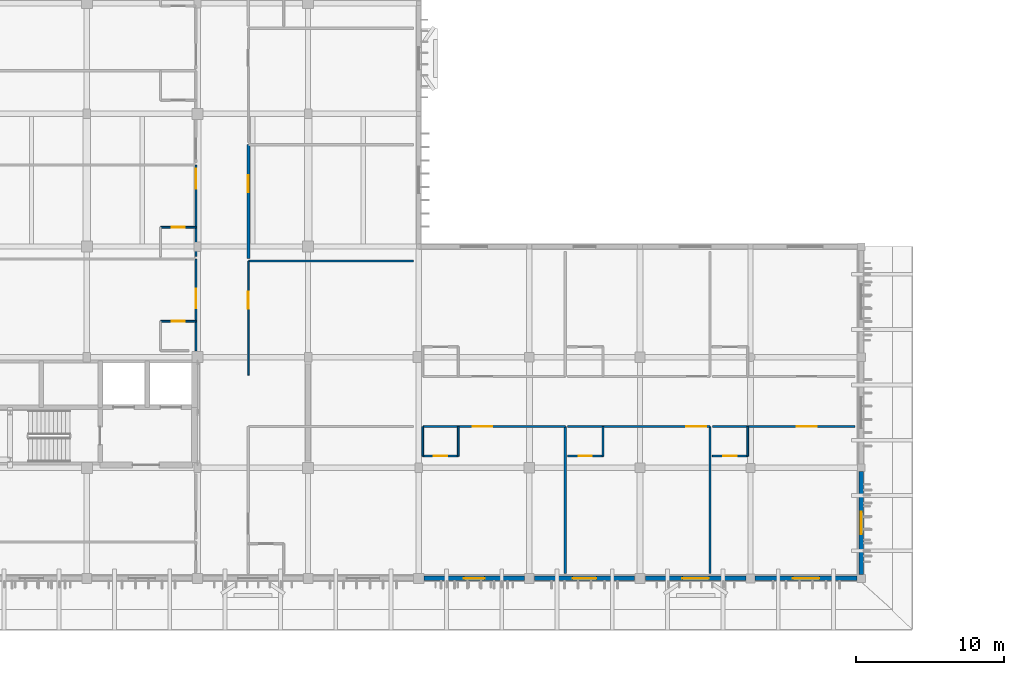
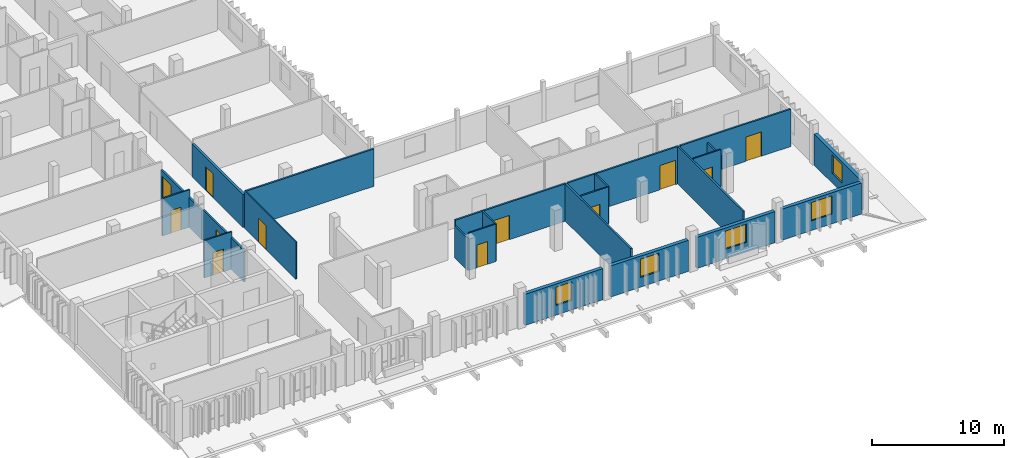
# One storey, part 15 of 43: 24 walls, 12 doors, 5 windows, 17 openings.
"""IFC4 building model written with IfcOpenShell, lengths in metres."""

from ifc_helpers import new_model, si_unit, direction, frame, frame_2d, origin, place, context, subcontext, project, spatial, rectangle, extrude, material, layer, layer_set, type_object, element, fill, save


model = new_model("IFC4")

# Units and contexts
model_context = context("Model", 3, precision=1e-05, world=origin(), true_north=direction((0.0, 1.0)))
body_context = subcontext(model_context, "Body", "Model", "MODEL_VIEW")
ifc_project = project(units=[si_unit("LENGTHUNIT", "METRE"), si_unit("AREAUNIT", "SQUARE_METRE"), si_unit("VOLUMEUNIT", "CUBIC_METRE"), si_unit("PLANEANGLEUNIT", "RADIAN"), si_unit("MASSUNIT", "GRAM", prefix="KILO")], contexts=[model_context])

# Site, building, storey
site_placement = place(None, origin())
site = spatial("IfcSite", under=ifc_project, at=site_placement, CompositionType="ELEMENT")
building_placement = place(site_placement, origin())
building = spatial("IfcBuilding", under=site, at=building_placement, Name="Dalvernix Boulevard General Hospital", CompositionType="ELEMENT")
storey_placement = place(building_placement, frame((0.0, 0.0, 14.10009765625)))
storey = spatial("IfcBuildingStorey", under=building, at=storey_placement, Name="L03", CompositionType="ELEMENT", Elevation=14.10009765625)

# Wall, opening, window
ifc_material_1 = material(Name="Pressed Catalan clay brick and ceramic spandrel wall C35/45", Category="masonry")
ifc_layer_1 = layer(ifc_material_1, 0.300048828125)
ifc_layer_set_1 = layer_set([ifc_layer_1], Name="Pressed Catalan clay brick and ceramic spandrel wall C35/45 (WAL-EW-02)")
wall_type_1 = type_object("IfcWallType", Name="WAL-EW-02", PredefinedType="STANDARD", material=ifc_layer_set_1)
wall_1_placement = place(storey_placement, frame((37.1650390625, 0.0, 0.0), z_axis=(0.0, 0.0, 1.0), x_axis=(-1.0, 0.0, 0.0)))
wall_1 = element("IfcWall", 1, at=wall_1_placement, inside=storey, type_object=wall_type_1, Name="L03 Catalan brick external wall S 4-0", PredefinedType="STANDARD", context=body_context, shape_type="SweptSolid", body=[
    extrude(rectangle(XDim=6.804931640625, YDim=0.300048828125, at=frame_2d((3.40234375, 0.0))), origin(), (0.0, 0.0, 1.0), 2.869873046875),
])
opening_1_placement = place(wall_1_placement, frame((2.702392578125, 0.0, 0.89990234375)))
opening_1 = element("IfcOpeningElement", 2, at=opening_1_placement, cuts=wall_1, Name="Opening WN-14", PredefinedType="OPENING", context=body_context, shape_type="SweptSolid", body=[
    extrude(rectangle(XDim=1.39990234375, YDim=1.68994140625, at=frame_2d((0.699951171875, 0.844970703125))), frame((0.0, 0.159912109375, 0.0), z_axis=(0.0, -1.0, 0.0), x_axis=(1.0, 0.0, 0.0)), (0.0, 0.0, 1.0), 0.320068359375),
])
ifc_material_2 = material(Name="Thermally broken aluminium frame with solar-control double glazing", Category="aluminium")
window_type_1 = type_object("IfcWindowType", Name="WIN-WN-14", PartitioningType="SINGLE_PANEL", PredefinedType="WINDOW", material=ifc_material_2)
window_1_placement = place(opening_1_placement, origin())
window_1 = element("IfcWindow", 3, at=window_1_placement, inside=storey, type_object=window_type_1, Name="L03 clinical window WN-14 S 4-0", OverallHeight=1.68994140625, OverallWidth=1.39990234375, PartitioningType="SINGLE_PANEL", PredefinedType="WINDOW", context=body_context, shape_type="SweptSolid", body=[
    extrude(rectangle(XDim=1.39990234375, YDim=1.68994140625, at=frame_2d((0.699951171875, 0.844970703125))), frame((0.0, 0.030029296875, 0.0), z_axis=(0.0, -1.0, 0.0), x_axis=(1.0, 0.0, 0.0)), (0.0, 0.0, 1.0), 0.06005859375),
])
fill(opening_1, window_1)

wall_2_placement = place(storey_placement, frame((44.639892578125, 0.0, 0.0), z_axis=(0.0, 0.0, 1.0), x_axis=(-1.0, 0.0, 0.0)))
wall_2 = element("IfcWall", 4, at=wall_2_placement, inside=storey, type_object=wall_type_1, Name="L03 Catalan brick external wall S 5-0", PredefinedType="STANDARD", context=body_context, shape_type="SweptSolid", body=[
    extrude(rectangle(XDim=6.804931640625, YDim=0.300048828125, at=frame_2d((3.40234375, 0.0))), origin(), (0.0, 0.0, 1.0), 2.869873046875),
])
opening_2_placement = place(wall_2_placement, frame((2.6025390625, 0.0, 0.89990234375)))
opening_2 = element("IfcOpeningElement", 5, at=opening_2_placement, cuts=wall_2, Name="Opening WN-15", PredefinedType="OPENING", context=body_context, shape_type="SweptSolid", body=[
    extrude(rectangle(XDim=1.60009765625, YDim=1.68994140625, at=frame_2d((0.800048828125, 0.844970703125))), frame((0.0, 0.159912109375, 0.0), z_axis=(0.0, -1.0, 0.0), x_axis=(1.0, 0.0, 0.0)), (0.0, 0.0, 1.0), 0.320068359375),
])
window_type_2 = type_object("IfcWindowType", Name="WIN-WN-15", PartitioningType="SINGLE_PANEL", PredefinedType="WINDOW", material=ifc_material_2)
window_2_placement = place(opening_2_placement, origin())
window_2 = element("IfcWindow", 6, at=window_2_placement, inside=storey, type_object=window_type_2, Name="L03 clinical window WN-15 S 5-0", OverallHeight=1.68994140625, OverallWidth=1.60009765625, PartitioningType="SINGLE_PANEL", PredefinedType="WINDOW", context=body_context, shape_type="SweptSolid", body=[
    extrude(rectangle(XDim=1.60009765625, YDim=1.68994140625, at=frame_2d((0.800048828125, 0.844970703125))), frame((0.0, 0.030029296875, 0.0), z_axis=(0.0, -1.0, 0.0), x_axis=(1.0, 0.0, 0.0)), (0.0, 0.0, 1.0), 0.06005859375),
])
fill(opening_2, window_2)

wall_3_placement = place(storey_placement, frame((52.18994140625, 0.0, 0.0), z_axis=(0.0, 0.0, 1.0), x_axis=(-1.0, 0.0, 0.0)))
wall_3 = element("IfcWall", 7, at=wall_3_placement, inside=storey, type_object=wall_type_1, Name="L03 Catalan brick external wall S 6-0", PredefinedType="STANDARD", context=body_context, shape_type="SweptSolid", body=[
    extrude(rectangle(XDim=6.829833984375, YDim=0.300048828125, at=frame_2d((3.4150390625, 0.0))), origin(), (0.0, 0.0, 1.0), 2.869873046875),
])
opening_3_placement = place(wall_3_placement, frame((2.514892578125, 0.0, 0.89990234375)))
opening_3 = element("IfcOpeningElement", 8, at=opening_3_placement, cuts=wall_3, Name="Opening WN-16", PredefinedType="OPENING", context=body_context, shape_type="SweptSolid", body=[
    extrude(rectangle(XDim=1.800048828125, YDim=1.68994140625, at=frame_2d((0.89990234375, 0.844970703125))), frame((0.0, 0.159912109375, 0.0), z_axis=(0.0, -1.0, 0.0), x_axis=(1.0, 0.0, 0.0)), (0.0, 0.0, 1.0), 0.320068359375),
])
window_type_3 = type_object("IfcWindowType", Name="WIN-WN-16", PartitioningType="SINGLE_PANEL", PredefinedType="WINDOW", material=ifc_material_2)
window_3_placement = place(opening_3_placement, origin())
window_3 = element("IfcWindow", 9, at=window_3_placement, inside=storey, type_object=window_type_3, Name="L03 clinical window WN-16 S 6-0", OverallHeight=1.68994140625, OverallWidth=1.800048828125, PartitioningType="SINGLE_PANEL", PredefinedType="WINDOW", context=body_context, shape_type="SweptSolid", body=[
    extrude(rectangle(XDim=1.800048828125, YDim=1.68994140625, at=frame_2d((0.89990234375, 0.844970703125))), frame((0.0, 0.030029296875, 0.0), z_axis=(0.0, -1.0, 0.0), x_axis=(1.0, 0.0, 0.0)), (0.0, 0.0, 1.0), 0.06005859375),
])
fill(opening_3, window_3)

wall_4_placement = place(storey_placement, frame((59.715087890625, 0.0, 0.0), z_axis=(0.0, 0.0, 1.0), x_axis=(-1.0, 0.0, 0.0)))
wall_4 = element("IfcWall", 10, at=wall_4_placement, inside=storey, type_object=wall_type_1, Name="L03 Catalan brick external wall S 7-0", PredefinedType="STANDARD", context=body_context, shape_type="SweptSolid", body=[
    extrude(rectangle(XDim=6.905029296875, YDim=0.300048828125, at=frame_2d((3.45263671875, 0.0))), origin(), (0.0, 0.0, 1.0), 2.869873046875),
])
opening_4_placement = place(wall_4_placement, frame((2.552490234375, 0.0, 0.89990234375)))
opening_4 = element("IfcOpeningElement", 11, at=opening_4_placement, cuts=wall_4, Name="Opening WN-01", PredefinedType="OPENING", context=body_context, shape_type="SweptSolid", body=[
    extrude(rectangle(XDim=1.800048828125, YDim=1.68994140625, at=frame_2d((0.89990234375, 0.844970703125))), frame((0.0, 0.159912109375, 0.0), z_axis=(0.0, -1.0, 0.0), x_axis=(1.0, 0.0, 0.0)), (0.0, 0.0, 1.0), 0.320068359375),
])
window_type_4 = type_object("IfcWindowType", Name="WIN-WN-01", PartitioningType="SINGLE_PANEL", PredefinedType="WINDOW", material=ifc_material_2)
window_4_placement = place(opening_4_placement, origin())
window_4 = element("IfcWindow", 12, at=window_4_placement, inside=storey, type_object=window_type_4, Name="L03 clinical window WN-01 S 7-0", OverallHeight=1.68994140625, OverallWidth=1.800048828125, PartitioningType="SINGLE_PANEL", PredefinedType="WINDOW", context=body_context, shape_type="SweptSolid", body=[
    extrude(rectangle(XDim=1.800048828125, YDim=1.68994140625, at=frame_2d((0.89990234375, 0.844970703125))), frame((0.0, 0.030029296875, 0.0), z_axis=(0.0, -1.0, 0.0), x_axis=(1.0, 0.0, 0.0)), (0.0, 0.0, 1.0), 0.06005859375),
])
fill(opening_4, window_4)

wall_5_placement = place(storey_placement, frame((60.0, 7.239990234375, 0.0), z_axis=(0.0, 0.0, 1.0), x_axis=(0.0, -1.0, 0.0)))
wall_5 = element("IfcWall", 13, at=wall_5_placement, inside=storey, type_object=wall_type_1, Name="L03 Catalan brick external wall E 8-0", PredefinedType="STANDARD", context=body_context, shape_type="SweptSolid", body=[
    extrude(rectangle(XDim=6.955078125, YDim=0.300048828125, at=frame_2d((3.4775390625, 0.0))), origin(), (0.0, 0.0, 1.0), 2.869873046875),
])
opening_5_placement = place(wall_5_placement, frame((2.7275390625, 0.0, 0.89990234375)))
opening_5 = element("IfcOpeningElement", 14, at=opening_5_placement, cuts=wall_5, Name="Opening WN-02", PredefinedType="OPENING", context=body_context, shape_type="SweptSolid", body=[
    extrude(rectangle(XDim=1.5, YDim=1.68994140625, at=frame_2d((0.75, 0.844970703125))), frame((0.0, 0.159912109375, 0.0), z_axis=(0.0, -1.0, 0.0), x_axis=(1.0, 0.0, 0.0)), (0.0, 0.0, 1.0), 0.320068359375),
])
window_type_5 = type_object("IfcWindowType", Name="WIN-WN-02", PartitioningType="SINGLE_PANEL", PredefinedType="WINDOW", material=ifc_material_2)
window_5_placement = place(opening_5_placement, origin())
window_5 = element("IfcWindow", 15, at=window_5_placement, inside=storey, type_object=window_type_5, Name="L03 clinical window WN-02 E 8-0", OverallHeight=1.68994140625, OverallWidth=1.5, PartitioningType="SINGLE_PANEL", PredefinedType="WINDOW", context=body_context, shape_type="SweptSolid", body=[
    extrude(rectangle(XDim=1.5, YDim=1.68994140625, at=frame_2d((0.75, 0.844970703125))), frame((0.0, 0.030029296875, 0.0), z_axis=(0.0, -1.0, 0.0), x_axis=(1.0, 0.0, 0.0)), (0.0, 0.0, 1.0), 0.06005859375),
])
fill(opening_5, window_5)

# Wall, opening, door
ifc_material_3 = material(Name="Fire-compartment corridor masonry wall", Category="masonry")
ifc_layer_2 = layer(ifc_material_3, 0.199951171875)
ifc_layer_set_2 = layer_set([ifc_layer_2], Name="Fire-compartment corridor masonry wall (WAL-IW-02)")
wall_type_2 = type_object("IfcWallType", Name="WAL-IW-02", PredefinedType="STANDARD", material=ifc_layer_set_2)
wall_6_placement = place(storey_placement, frame((18.449951171875, 29.409912109375, 0.0), z_axis=(0.0, 0.0, 1.0), x_axis=(0.0, -1.0, 0.0)))
wall_6 = element("IfcWall", 16, at=wall_6_placement, inside=storey, type_object=wall_type_2, Name="L03 Clinical Treatment and Procedure Room L03 corridor wall", PredefinedType="STANDARD", context=body_context, shape_type="SweptSolid", body=[
    extrude(rectangle(XDim=7.73486328125, YDim=0.199951171875, at=frame_2d((3.867431640625, 0.0))), origin(), (0.0, 0.0, 1.0), 3.054931640625),
])
opening_6_placement = place(wall_6_placement, frame((2.075439453125, 0.0, 0.0)))
opening_6 = element("IfcOpeningElement", 17, at=opening_6_placement, cuts=wall_6, Name="Opening ID-08", PredefinedType="OPENING", context=body_context, shape_type="SweptSolid", body=[
    extrude(rectangle(XDim=1.14990234375, YDim=2.199951171875, at=frame_2d((0.574951171875, 1.10009765625))), frame((0.0, 0.10986328125, 0.0), z_axis=(0.0, -1.0, 0.0), x_axis=(1.0, 0.0, 0.0)), (0.0, 0.0, 1.0), 0.219970703125),
])
ifc_material_4 = material(Name="Hospital laminate acoustic timber and steel frame", Category="steel")
door_type_1 = type_object("IfcDoorType", Name="DR-ID-08", OperationType="NOTDEFINED", PredefinedType="DOOR", material=ifc_material_4)
door_1_placement = place(opening_6_placement, origin())
door_1 = element("IfcDoor", 18, at=door_1_placement, inside=storey, type_object=door_type_1, Name="L03 Clinical Treatment and Procedure Room L03 door", OperationType="SINGLE_SWING_LEFT", OverallHeight=2.199951171875, OverallWidth=1.14990234375, PredefinedType="DOOR", context=body_context, shape_type="SweptSolid", body=[
    extrude(rectangle(XDim=1.14990234375, YDim=2.199951171875, at=frame_2d((0.574951171875, 1.10009765625))), frame((0.0, 0.02490234375, 0.0), z_axis=(0.0, -1.0, 0.0), x_axis=(1.0, 0.0, 0.0)), (0.0, 0.0, 1.0), 0.050048828125),
])
fill(opening_6, door_1)

ifc_material_5 = material(Name="Acoustic double-stud gypsum inpatient partition")
ifc_layer_3 = layer(ifc_material_5, 0.14990234375)
ifc_layer_set_3 = layer_set([ifc_layer_3], Name="Acoustic double-stud gypsum inpatient partition (WAL-IW-04)")
wall_type_3 = type_object("IfcWallType", Name="WAL-IW-04", PredefinedType="PARTITIONING", material=ifc_layer_set_3)
wall_7_placement = place(storey_placement, frame((14.89990234375, 15.429931640625, 0.0), z_axis=(0.0, 0.0, 1.0), x_axis=(0.0, 1.0, 0.0)))
wall_7 = element("IfcWall", 19, at=wall_7_placement, inside=storey, type_object=wall_type_3, Name="L03 Cardiology Step-Down Patient Room L03-W02 corridor wall", PredefinedType="PARTITIONING", context=body_context, shape_type="SweptSolid", body=[
    extrude(rectangle(XDim=6.223388671875, YDim=0.14990234375, at=frame_2d((3.11181640625, 0.0))), origin(), (0.0, 0.0, 1.0), 2.90478515625),
])
opening_7_placement = place(wall_7_placement, frame((2.8740234375, 0.0, 0.0)))
opening_7 = element("IfcOpeningElement", 20, at=opening_7_placement, cuts=wall_7, Name="Opening ID-01", PredefinedType="OPENING", context=body_context, shape_type="SweptSolid", body=[
    extrude(rectangle(XDim=1.35009765625, YDim=2.25, at=frame_2d((0.675048828125, 1.125))), frame((0.0, 0.0849609375, 0.0), z_axis=(0.0, -1.0, 0.0), x_axis=(1.0, 0.0, 0.0)), (0.0, 0.0, 1.0), 0.169921875),
])
door_type_2 = type_object("IfcDoorType", Name="DR-ID-01", OperationType="NOTDEFINED", PredefinedType="DOOR", material=ifc_material_4)
door_2_placement = place(opening_7_placement, origin())
door_2 = element("IfcDoor", 21, at=door_2_placement, inside=storey, type_object=door_type_2, Name="L03 Cardiology Step-Down Patient Room L03-W02 door", OperationType="SINGLE_SWING_RIGHT", OverallHeight=2.25, OverallWidth=1.35009765625, PredefinedType="DOOR", context=body_context, shape_type="SweptSolid", body=[
    extrude(rectangle(XDim=1.35009765625, YDim=2.25, at=frame_2d((0.675048828125, 1.125))), frame((0.0, 0.02490234375, 0.0), z_axis=(0.0, -1.0, 0.0), x_axis=(1.0, 0.0, 0.0)), (0.0, 0.0, 1.0), 0.050048828125),
])
fill(opening_7, door_2)

wall_8_placement = place(storey_placement, frame((14.89990234375, 21.813232421875, 0.0), z_axis=(0.0, 0.0, 1.0), x_axis=(0.0, 1.0, 0.0)))
wall_8 = element("IfcWall", 22, at=wall_8_placement, inside=storey, type_object=wall_type_3, Name="L03 Telemetry Ward Bay L03-W03 corridor wall", PredefinedType="PARTITIONING", context=body_context, shape_type="SweptSolid", body=[
    extrude(rectangle(XDim=6.223388671875, YDim=0.14990234375, at=frame_2d((3.11181640625, 0.0))), origin(), (0.0, 0.0, 1.0), 2.7548828125),
])
opening_8_placement = place(wall_8_placement, frame((4.623291015625, 0.0, 0.0)))
opening_8 = element("IfcOpeningElement", 23, at=opening_8_placement, cuts=wall_8, Name="Opening ID-01", PredefinedType="OPENING", context=body_context, shape_type="SweptSolid", body=[
    extrude(rectangle(XDim=1.35009765625, YDim=2.25, at=frame_2d((0.675048828125, 1.125))), frame((0.0, 0.0849609375, 0.0), z_axis=(0.0, -1.0, 0.0), x_axis=(1.0, 0.0, 0.0)), (0.0, 0.0, 1.0), 0.169921875),
])
door_3_placement = place(opening_8_placement, origin())
door_3 = element("IfcDoor", 24, at=door_3_placement, inside=storey, type_object=door_type_2, Name="L03 Telemetry Ward Bay L03-W03 door", OperationType="SINGLE_SWING_RIGHT", OverallHeight=2.25, OverallWidth=1.35009765625, PredefinedType="DOOR", context=body_context, shape_type="SweptSolid", body=[
    extrude(rectangle(XDim=1.35009765625, YDim=2.25, at=frame_2d((0.675048828125, 1.125))), frame((0.0, 0.02490234375, 0.0), z_axis=(0.0, -1.0, 0.0), x_axis=(1.0, 0.0, 0.0)), (0.0, 0.0, 1.0), 0.050048828125),
])
fill(opening_8, door_3)

wall_9_placement = place(storey_placement, frame((39.936767578125, 10.300048828125, 0.0), z_axis=(0.0, 0.0, 1.0), x_axis=(-1.0, 0.0, 0.0)))
wall_9 = element("IfcWall", 25, at=wall_9_placement, inside=storey, type_object=wall_type_3, Name="L03 Inpatient Ward Suite L03-S1 corridor wall", PredefinedType="PARTITIONING", context=body_context, shape_type="SweptSolid", body=[
    extrude(rectangle(XDim=9.65673828125, YDim=0.14990234375, at=frame_2d((4.828369140625, 0.0))), origin(), (0.0, 0.0, 1.0), 3.454833984375),
])
opening_9_placement = place(wall_9_placement, frame((4.93408203125, 0.0, 0.0)))
opening_9 = element("IfcOpeningElement", 26, at=opening_9_placement, cuts=wall_9, Name="Opening ID-01", PredefinedType="OPENING", context=body_context, shape_type="SweptSolid", body=[
    extrude(rectangle(XDim=1.35009765625, YDim=2.25, at=frame_2d((0.675048828125, 1.125))), frame((0.0, 0.0849609375, 0.0), z_axis=(0.0, -1.0, 0.0), x_axis=(1.0, 0.0, 0.0)), (0.0, 0.0, 1.0), 0.169921875),
])
door_4_placement = place(opening_9_placement, origin())
door_4 = element("IfcDoor", 27, at=door_4_placement, inside=storey, type_object=door_type_2, Name="L03 Inpatient Ward Suite L03-S1 door", OperationType="SINGLE_SWING_RIGHT", OverallHeight=2.25, OverallWidth=1.35009765625, PredefinedType="DOOR", context=body_context, shape_type="SweptSolid", body=[
    extrude(rectangle(XDim=1.35009765625, YDim=2.25, at=frame_2d((0.675048828125, 1.125))), frame((0.0, 0.02490234375, 0.0), z_axis=(0.0, -1.0, 0.0), x_axis=(1.0, 0.0, 0.0)), (0.0, 0.0, 1.0), 0.050048828125),
])
fill(opening_9, door_4)

wall_10_placement = place(storey_placement, frame((49.75341796875, 10.300048828125, 0.0), z_axis=(0.0, 0.0, 1.0), x_axis=(-1.0, 0.0, 0.0)))
wall_10 = element("IfcWall", 28, at=wall_10_placement, inside=storey, type_object=wall_type_3, Name="L03 Inpatient Ward Suite L03-S2 corridor wall", PredefinedType="PARTITIONING", context=body_context, shape_type="SweptSolid", body=[
    extrude(rectangle(XDim=9.65673828125, YDim=0.14990234375, at=frame_2d((4.828369140625, 0.0))), origin(), (0.0, 0.0, 1.0), 3.454833984375),
])
opening_10_placement = place(wall_10_placement, frame((0.25, 0.0, 0.0)))
opening_10 = element("IfcOpeningElement", 29, at=opening_10_placement, cuts=wall_10, Name="Opening ID-01", PredefinedType="OPENING", context=body_context, shape_type="SweptSolid", body=[
    extrude(rectangle(XDim=1.35009765625, YDim=2.25, at=frame_2d((0.675048828125, 1.125))), frame((0.0, 0.0849609375, 0.0), z_axis=(0.0, -1.0, 0.0), x_axis=(1.0, 0.0, 0.0)), (0.0, 0.0, 1.0), 0.169921875),
])
door_5_placement = place(opening_10_placement, origin())
door_5 = element("IfcDoor", 30, at=door_5_placement, inside=storey, type_object=door_type_2, Name="L03 Inpatient Ward Suite L03-S2 door", OperationType="SINGLE_SWING_RIGHT", OverallHeight=2.25, OverallWidth=1.35009765625, PredefinedType="DOOR", context=body_context, shape_type="SweptSolid", body=[
    extrude(rectangle(XDim=1.35009765625, YDim=2.25, at=frame_2d((0.675048828125, 1.125))), frame((0.0, 0.02490234375, 0.0), z_axis=(0.0, -1.0, 0.0), x_axis=(1.0, 0.0, 0.0)), (0.0, 0.0, 1.0), 0.050048828125),
])
fill(opening_10, door_5)

wall_11_placement = place(storey_placement, frame((59.570068359375, 10.300048828125, 0.0), z_axis=(0.0, 0.0, 1.0), x_axis=(-1.0, 0.0, 0.0)))
wall_11 = element("IfcWall", 31, at=wall_11_placement, inside=storey, type_object=wall_type_3, Name="L03 Inpatient Ward Suite L03-S3 corridor wall", PredefinedType="PARTITIONING", context=body_context, shape_type="SweptSolid", body=[
    extrude(rectangle(XDim=9.65673828125, YDim=0.14990234375, at=frame_2d((4.828369140625, 0.0))), origin(), (0.0, 0.0, 1.0), 3.454833984375),
])
opening_11_placement = place(wall_11_placement, frame((2.592041015625, 0.0, 0.0)))
opening_11 = element("IfcOpeningElement", 32, at=opening_11_placement, cuts=wall_11, Name="Opening ID-01", PredefinedType="OPENING", context=body_context, shape_type="SweptSolid", body=[
    extrude(rectangle(XDim=1.35009765625, YDim=2.25, at=frame_2d((0.675048828125, 1.125))), frame((0.0, 0.0849609375, 0.0), z_axis=(0.0, -1.0, 0.0), x_axis=(1.0, 0.0, 0.0)), (0.0, 0.0, 1.0), 0.169921875),
])
door_6_placement = place(opening_11_placement, origin())
door_6 = element("IfcDoor", 33, at=door_6_placement, inside=storey, type_object=door_type_2, Name="L03 Inpatient Ward Suite L03-S3 door", OperationType="SINGLE_SWING_RIGHT", OverallHeight=2.25, OverallWidth=1.35009765625, PredefinedType="DOOR", context=body_context, shape_type="SweptSolid", body=[
    extrude(rectangle(XDim=1.35009765625, YDim=2.25, at=frame_2d((0.675048828125, 1.125))), frame((0.0, 0.02490234375, 0.0), z_axis=(0.0, -1.0, 0.0), x_axis=(1.0, 0.0, 0.0)), (0.0, 0.0, 1.0), 0.050048828125),
])
fill(opening_11, door_6)

# Walls
wall_12_placement = place(storey_placement, frame((18.449951171875, 21.514892578125, 0.0), z_axis=(0.0, 0.0, 1.0), x_axis=(1.0, 0.0, 0.0)))
element("IfcWall", 34, at=wall_12_placement, inside=storey, type_object=wall_type_3, Name="L03 Ward Nurse Station and Medication Prep L03 partition", PredefinedType="PARTITIONING", context=body_context, shape_type="SweptSolid", body=[
    extrude(rectangle(XDim=11.199951171875, YDim=0.14990234375, at=frame_2d((5.60009765625, 0.0))), origin(), (0.0, 0.0, 1.0), 3.454833984375),
])
for number, where, z_axis, x_axis, name in (
    (35, (39.936767578125, 0.35009765625, 0.0), (0.0, 0.0, 1.0), (0.0, 1.0, 0.0), "L03 Inpatient Ward Suite L03-S1 partition"),
    (36, (49.75341796875, 0.35009765625, 0.0), (0.0, 0.0, 1.0), (0.0, 1.0, 0.0), "L03 Inpatient Ward Suite L03-S2 partition"),
):
    element("IfcWall", number, at=place(storey_placement, frame(where, z_axis=z_axis, x_axis=x_axis)), inside=storey, type_object=wall_type_3, Name=name, PredefinedType="PARTITIONING", context=body_context, shape_type="SweptSolid", body=[
        extrude(rectangle(XDim=9.949951171875, YDim=0.14990234375, at=frame_2d((4.97509765625, 0.0))), origin(), (0.0, 0.0, 1.0), 3.454833984375),
    ])

# Wall, opening, door
ifc_material_6 = material(Name="Moisture-resistant en-suite bathroom partition")
ifc_layer_4 = layer(ifc_material_6, 0.1201171875)
ifc_layer_set_4 = layer_set([ifc_layer_4], Name="Moisture-resistant en-suite bathroom partition (WAL-IW-05)")
wall_type_4 = type_object("IfcWallType", Name="WAL-IW-05", PredefinedType="PARTITIONING", material=ifc_layer_set_4)
wall_13_placement = place(storey_placement, frame((14.89990234375, 17.429931640625, 0.0), z_axis=(0.0, 0.0, 1.0), x_axis=(-1.0, 0.0, 0.0)))
wall_13 = element("IfcWall", 37, at=wall_13_placement, inside=storey, type_object=wall_type_4, Name="L03 en-suite bathroom door wall", PredefinedType="PARTITIONING", context=body_context, shape_type="SweptSolid", body=[
    extrude(rectangle(XDim=2.39990234375, YDim=0.1201171875, at=frame_2d((1.199951171875, 0.0))), origin(), (0.0, 0.0, 1.0), 3.454833984375),
])
opening_12_placement = place(wall_13_placement, frame((0.75, 0.0, 0.0)))
opening_12 = element("IfcOpeningElement", 38, at=opening_12_placement, cuts=wall_13, Name="Opening ID-05", PredefinedType="OPENING", context=body_context, shape_type="SweptSolid", body=[
    extrude(rectangle(XDim=0.89990234375, YDim=2.10009765625, at=frame_2d((0.449951171875, 1.050048828125))), frame((0.0, 0.070068359375, 0.0), z_axis=(0.0, -1.0, 0.0), x_axis=(1.0, 0.0, 0.0)), (0.0, 0.0, 1.0), 0.14013671875),
])
door_type_3 = type_object("IfcDoorType", Name="DR-ID-05", OperationType="NOTDEFINED", PredefinedType="DOOR", material=ifc_material_4)
door_7_placement = place(opening_12_placement, origin())
door_7 = element("IfcDoor", 39, at=door_7_placement, inside=storey, type_object=door_type_3, Name="L03 L03-WRD-W02 en-suite bathroom door", OperationType="SINGLE_SWING_LEFT", OverallHeight=2.10009765625, OverallWidth=0.89990234375, PredefinedType="DOOR", context=body_context, shape_type="SweptSolid", body=[
    extrude(rectangle(XDim=0.89990234375, YDim=2.10009765625, at=frame_2d((0.449951171875, 1.050048828125))), frame((0.0, 0.02490234375, 0.0), z_axis=(0.0, -1.0, 0.0), x_axis=(1.0, 0.0, 0.0)), (0.0, 0.0, 1.0), 0.050048828125),
])
fill(opening_12, door_7)

wall_14_placement = place(storey_placement, frame((14.89990234375, 23.813232421875, 0.0), z_axis=(0.0, 0.0, 1.0), x_axis=(-1.0, 0.0, 0.0)))
wall_14 = element("IfcWall", 40, at=wall_14_placement, inside=storey, type_object=wall_type_4, Name="L03 en-suite bathroom door wall", PredefinedType="PARTITIONING", context=body_context, shape_type="SweptSolid", body=[
    extrude(rectangle(XDim=2.39990234375, YDim=0.1201171875, at=frame_2d((1.199951171875, 0.0))), origin(), (0.0, 0.0, 1.0), 3.454833984375),
])
opening_13_placement = place(wall_14_placement, frame((0.75, 0.0, 0.0)))
opening_13 = element("IfcOpeningElement", 41, at=opening_13_placement, cuts=wall_14, Name="Opening ID-05", PredefinedType="OPENING", context=body_context, shape_type="SweptSolid", body=[
    extrude(rectangle(XDim=0.89990234375, YDim=2.10009765625, at=frame_2d((0.449951171875, 1.050048828125))), frame((0.0, 0.070068359375, 0.0), z_axis=(0.0, -1.0, 0.0), x_axis=(1.0, 0.0, 0.0)), (0.0, 0.0, 1.0), 0.14013671875),
])
door_8_placement = place(opening_13_placement, origin())
door_8 = element("IfcDoor", 42, at=door_8_placement, inside=storey, type_object=door_type_3, Name="L03 L03-WRD-W03 en-suite bathroom door", OperationType="SINGLE_SWING_LEFT", OverallHeight=2.10009765625, OverallWidth=0.89990234375, PredefinedType="DOOR", context=body_context, shape_type="SweptSolid", body=[
    extrude(rectangle(XDim=0.89990234375, YDim=2.10009765625, at=frame_2d((0.449951171875, 1.050048828125))), frame((0.0, 0.02490234375, 0.0), z_axis=(0.0, -1.0, 0.0), x_axis=(1.0, 0.0, 0.0)), (0.0, 0.0, 1.0), 0.050048828125),
])
fill(opening_13, door_8)

wall_15_placement = place(storey_placement, frame((30.280029296875, 8.300048828125, 0.0), z_axis=(0.0, 0.0, 1.0), x_axis=(1.0, 0.0, 0.0)))
wall_15 = element("IfcWall", 43, at=wall_15_placement, inside=storey, type_object=wall_type_4, Name="L03 en-suite bathroom door wall", PredefinedType="PARTITIONING", context=body_context, shape_type="SweptSolid", body=[
    extrude(rectangle(XDim=2.39990234375, YDim=0.1201171875, at=frame_2d((1.199951171875, 0.0))), origin(), (0.0, 0.0, 1.0), 3.454833984375),
])
opening_14_placement = place(wall_15_placement, frame((0.75, 0.0, 0.0)))
opening_14 = element("IfcOpeningElement", 44, at=opening_14_placement, cuts=wall_15, Name="Opening ID-05", PredefinedType="OPENING", context=body_context, shape_type="SweptSolid", body=[
    extrude(rectangle(XDim=0.89990234375, YDim=2.10009765625, at=frame_2d((0.449951171875, 1.050048828125))), frame((0.0, 0.070068359375, 0.0), z_axis=(0.0, -1.0, 0.0), x_axis=(1.0, 0.0, 0.0)), (0.0, 0.0, 1.0), 0.14013671875),
])
door_9_placement = place(opening_14_placement, origin())
door_9 = element("IfcDoor", 45, at=door_9_placement, inside=storey, type_object=door_type_3, Name="L03 L03-SW-S1 en-suite bathroom door", OperationType="SINGLE_SWING_LEFT", OverallHeight=2.10009765625, OverallWidth=0.89990234375, PredefinedType="DOOR", context=body_context, shape_type="SweptSolid", body=[
    extrude(rectangle(XDim=0.89990234375, YDim=2.10009765625, at=frame_2d((0.449951171875, 1.050048828125))), frame((0.0, 0.02490234375, 0.0), z_axis=(0.0, -1.0, 0.0), x_axis=(1.0, 0.0, 0.0)), (0.0, 0.0, 1.0), 0.050048828125),
])
fill(opening_14, door_9)

# Wall
wall_16_placement = place(storey_placement, frame((32.679931640625, 8.300048828125, 0.0), z_axis=(0.0, 0.0, 1.0), x_axis=(0.0, 1.0, 0.0)))
element("IfcWall", 46, at=wall_16_placement, inside=storey, type_object=wall_type_4, Name="L03 en-suite bathroom side wall", PredefinedType="PARTITIONING", context=body_context, shape_type="SweptSolid", body=[
    extrude(rectangle(XDim=2.0, YDim=0.1201171875, at=frame_2d((1.0, 0.0))), origin(), (0.0, 0.0, 1.0), 3.454833984375),
])

# Wall, opening, door
wall_17_placement = place(storey_placement, frame((40.0966796875, 8.300048828125, 0.0), z_axis=(0.0, 0.0, 1.0), x_axis=(1.0, 0.0, 0.0)))
wall_17 = element("IfcWall", 47, at=wall_17_placement, inside=storey, type_object=wall_type_4, Name="L03 en-suite bathroom door wall", PredefinedType="PARTITIONING", context=body_context, shape_type="SweptSolid", body=[
    extrude(rectangle(XDim=2.39990234375, YDim=0.1201171875, at=frame_2d((1.199951171875, 0.0))), origin(), (0.0, 0.0, 1.0), 3.454833984375),
])
opening_15_placement = place(wall_17_placement, frame((0.75, 0.0, 0.0)))
opening_15 = element("IfcOpeningElement", 48, at=opening_15_placement, cuts=wall_17, Name="Opening ID-05", PredefinedType="OPENING", context=body_context, shape_type="SweptSolid", body=[
    extrude(rectangle(XDim=0.89990234375, YDim=2.10009765625, at=frame_2d((0.449951171875, 1.050048828125))), frame((0.0, 0.070068359375, 0.0), z_axis=(0.0, -1.0, 0.0), x_axis=(1.0, 0.0, 0.0)), (0.0, 0.0, 1.0), 0.14013671875),
])
door_10_placement = place(opening_15_placement, origin())
door_10 = element("IfcDoor", 49, at=door_10_placement, inside=storey, type_object=door_type_3, Name="L03 L03-SW-S2 en-suite bathroom door", OperationType="SINGLE_SWING_LEFT", OverallHeight=2.10009765625, OverallWidth=0.89990234375, PredefinedType="DOOR", context=body_context, shape_type="SweptSolid", body=[
    extrude(rectangle(XDim=0.89990234375, YDim=2.10009765625, at=frame_2d((0.449951171875, 1.050048828125))), frame((0.0, 0.02490234375, 0.0), z_axis=(0.0, -1.0, 0.0), x_axis=(1.0, 0.0, 0.0)), (0.0, 0.0, 1.0), 0.050048828125),
])
fill(opening_15, door_10)

# Wall
wall_18_placement = place(storey_placement, frame((42.49658203125, 8.300048828125, 0.0), z_axis=(0.0, 0.0, 1.0), x_axis=(0.0, 1.0, 0.0)))
element("IfcWall", 50, at=wall_18_placement, inside=storey, type_object=wall_type_4, Name="L03 en-suite bathroom side wall", PredefinedType="PARTITIONING", context=body_context, shape_type="SweptSolid", body=[
    extrude(rectangle(XDim=2.0, YDim=0.1201171875, at=frame_2d((1.0, 0.0))), origin(), (0.0, 0.0, 1.0), 3.454833984375),
])

# Wall, opening, door
wall_19_placement = place(storey_placement, frame((49.913330078125, 8.300048828125, 0.0), z_axis=(0.0, 0.0, 1.0), x_axis=(1.0, 0.0, 0.0)))
wall_19 = element("IfcWall", 51, at=wall_19_placement, inside=storey, type_object=wall_type_4, Name="L03 en-suite bathroom door wall", PredefinedType="PARTITIONING", context=body_context, shape_type="SweptSolid", body=[
    extrude(rectangle(XDim=2.39990234375, YDim=0.1201171875, at=frame_2d((1.199951171875, 0.0))), origin(), (0.0, 0.0, 1.0), 3.454833984375),
])
opening_16_placement = place(wall_19_placement, frame((0.75, 0.0, 0.0)))
opening_16 = element("IfcOpeningElement", 52, at=opening_16_placement, cuts=wall_19, Name="Opening ID-05", PredefinedType="OPENING", context=body_context, shape_type="SweptSolid", body=[
    extrude(rectangle(XDim=0.89990234375, YDim=2.10009765625, at=frame_2d((0.449951171875, 1.050048828125))), frame((0.0, 0.070068359375, 0.0), z_axis=(0.0, -1.0, 0.0), x_axis=(1.0, 0.0, 0.0)), (0.0, 0.0, 1.0), 0.14013671875),
])
door_11_placement = place(opening_16_placement, origin())
door_11 = element("IfcDoor", 53, at=door_11_placement, inside=storey, type_object=door_type_3, Name="L03 L03-SW-S3 en-suite bathroom door", OperationType="SINGLE_SWING_LEFT", OverallHeight=2.10009765625, OverallWidth=0.89990234375, PredefinedType="DOOR", context=body_context, shape_type="SweptSolid", body=[
    extrude(rectangle(XDim=0.89990234375, YDim=2.10009765625, at=frame_2d((0.449951171875, 1.050048828125))), frame((0.0, 0.02490234375, 0.0), z_axis=(0.0, -1.0, 0.0), x_axis=(1.0, 0.0, 0.0)), (0.0, 0.0, 1.0), 0.050048828125),
])
fill(opening_16, door_11)

# Walls
wall_20_placement = place(storey_placement, frame((52.313232421875, 8.300048828125, 0.0), z_axis=(0.0, 0.0, 1.0), x_axis=(0.0, 1.0, 0.0)))
element("IfcWall", 54, at=wall_20_placement, inside=storey, type_object=wall_type_4, Name="L03 en-suite bathroom side wall", PredefinedType="PARTITIONING", context=body_context, shape_type="SweptSolid", body=[
    extrude(rectangle(XDim=2.0, YDim=0.1201171875, at=frame_2d((1.0, 0.0))), origin(), (0.0, 0.0, 1.0), 2.90478515625),
])
wall_21_placement = place(storey_placement, frame((30.280029296875, 8.300048828125, 0.0), z_axis=(0.0, 0.0, 1.0), x_axis=(0.0, 1.0, 0.0)))
element("IfcWall", 55, at=wall_21_placement, inside=storey, type_object=wall_type_4, Name="L03 En-suite Bathroom SW-S1 enclosure wall W", PredefinedType="PARTITIONING", context=body_context, shape_type="SweptSolid", body=[
    extrude(rectangle(XDim=2.0, YDim=0.1201171875, at=frame_2d((1.0, 0.0))), origin(), (0.0, 0.0, 1.0), 2.954833984375),
])

# Wall, opening, door
ifc_material_7 = material(Name="Fire-resisting clinical sub-partition")
ifc_layer_5 = layer(ifc_material_7, 0.10009765625)
ifc_layer_set_5 = layer_set([ifc_layer_5], Name="Fire-resisting clinical sub-partition (WAL-IW-06)")
wall_type_5 = type_object("IfcWallType", Name="WAL-IW-06", PredefinedType="PARTITIONING", material=ifc_layer_set_5)
wall_22_placement = place(storey_placement, frame((18.449951171875, 21.514892578125, 0.0), z_axis=(0.0, 0.0, 1.0), x_axis=(0.0, -1.0, 0.0)))
wall_22 = element("IfcWall", 56, at=wall_22_placement, inside=storey, type_object=wall_type_5, Name="L03 Ward Nurse Station and Medication Prep L03 corridor wall", PredefinedType="PARTITIONING", context=body_context, shape_type="SweptSolid", body=[
    extrude(rectangle(XDim=7.73486328125, YDim=0.10009765625, at=frame_2d((3.867431640625, 0.0))), origin(), (0.0, 0.0, 1.0), 3.454833984375),
])
opening_17_placement = place(wall_22_placement, frame((2.075439453125, 0.0, 0.0)))
opening_17 = element("IfcOpeningElement", 57, at=opening_17_placement, cuts=wall_22, Name="Opening ID-08", PredefinedType="OPENING", context=body_context, shape_type="SweptSolid", body=[
    extrude(rectangle(XDim=1.14990234375, YDim=2.199951171875, at=frame_2d((0.574951171875, 1.10009765625))), frame((0.0, 0.06005859375, 0.0), z_axis=(0.0, -1.0, 0.0), x_axis=(1.0, 0.0, 0.0)), (0.0, 0.0, 1.0), 0.1201171875),
])
door_12_placement = place(opening_17_placement, origin())
door_12 = element("IfcDoor", 58, at=door_12_placement, inside=storey, type_object=door_type_1, Name="L03 Ward Nurse Station and Medication Prep L03 door", OperationType="SINGLE_SWING_RIGHT", OverallHeight=2.199951171875, OverallWidth=1.14990234375, PredefinedType="DOOR", context=body_context, shape_type="SweptSolid", body=[
    extrude(rectangle(XDim=1.14990234375, YDim=2.199951171875, at=frame_2d((0.574951171875, 1.10009765625))), frame((0.0, 0.02490234375, 0.0), z_axis=(0.0, -1.0, 0.0), x_axis=(1.0, 0.0, 0.0)), (0.0, 0.0, 1.0), 0.050048828125),
])
fill(opening_17, door_12)

save(model, "model.ifc")
